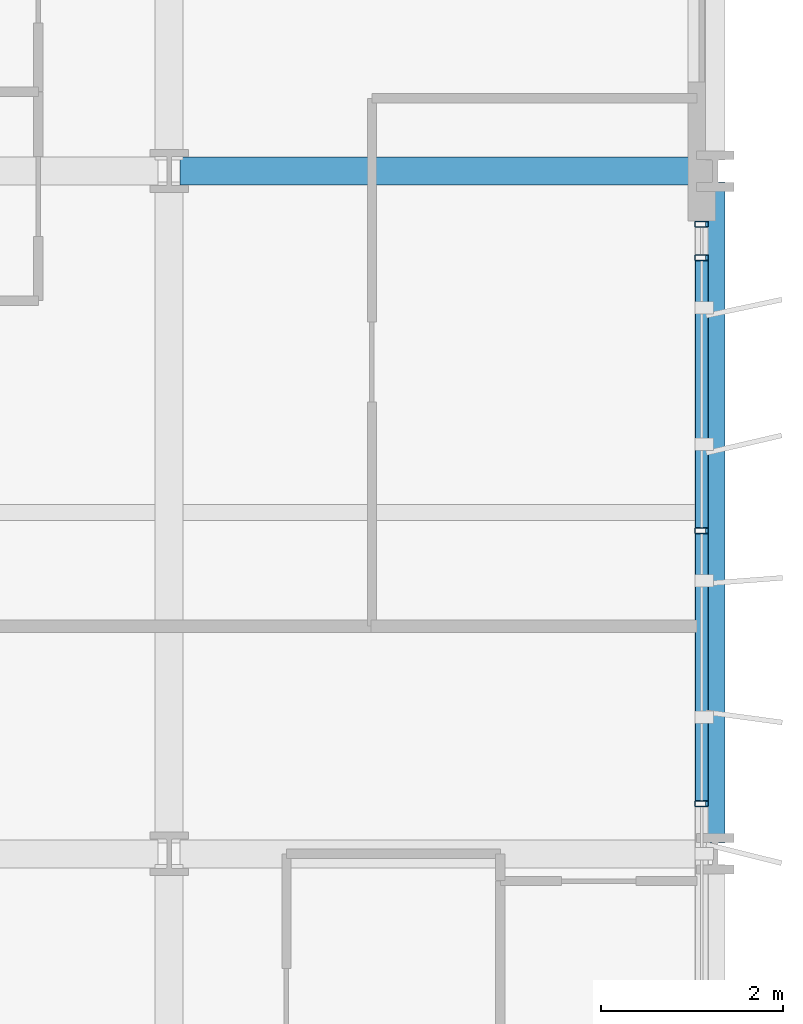
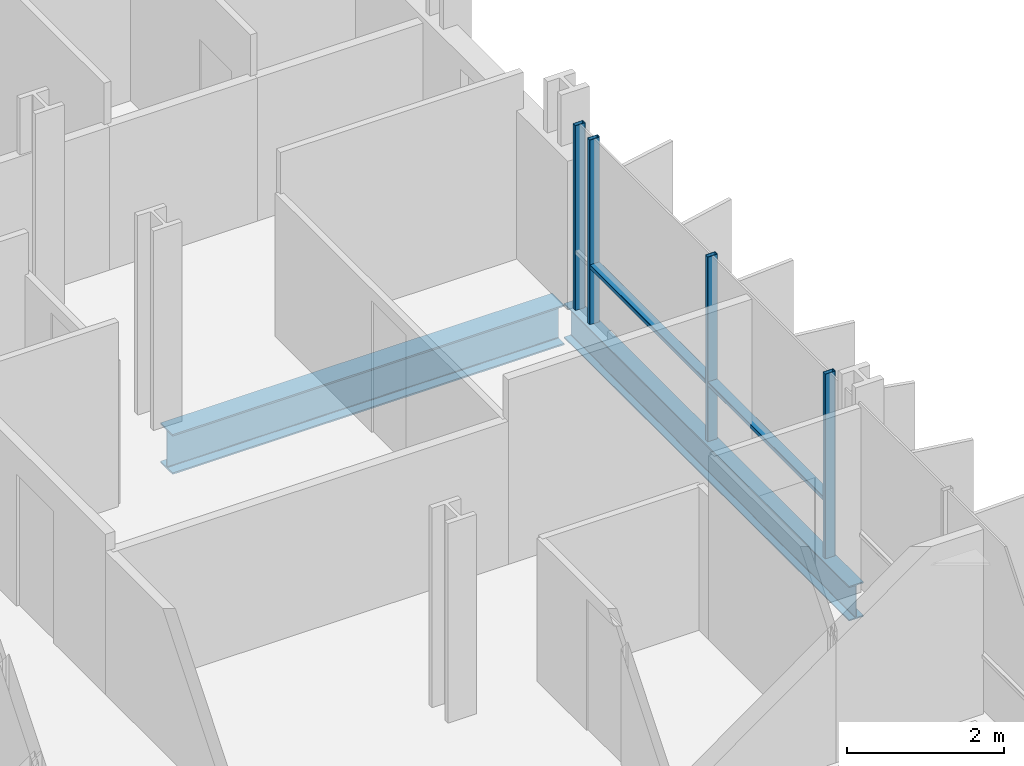
# One storey, part 19 of 38: 6 members, 2 beams, 1 element without a shape of its own.
"""IFC4 building model written with IfcOpenShell, lengths in metres."""

from ifc_helpers import new_model, si_unit, direction, frame, origin, origin_2d, place, context, subcontext, project, spatial, hollow_rectangle, i_section, extrude, material, layer, layer_set, material_profile, profile_set, type_object, element, aggregate, save


model = new_model("IFC4")

# Units and contexts
model_context = context("Model", 3, precision=1e-05, world=origin(), true_north=direction((0.0, 1.0)))
body_context = subcontext(model_context, "Body", "Model", "MODEL_VIEW")
ifc_project = project(units=[si_unit("LENGTHUNIT", "METRE"), si_unit("AREAUNIT", "SQUARE_METRE"), si_unit("VOLUMEUNIT", "CUBIC_METRE"), si_unit("PLANEANGLEUNIT", "RADIAN"), si_unit("MASSUNIT", "GRAM", prefix="KILO")], contexts=[model_context])

# Site, building, storey
site_placement = place(None, origin())
site = spatial("IfcSite", under=ifc_project, at=site_placement, CompositionType="ELEMENT")
building_placement = place(site_placement, origin())
building = spatial("IfcBuilding", under=site, at=building_placement, Name="Brevholm Reach", CompositionType="ELEMENT")
storey_placement = place(building_placement, frame((0.0, 0.0, 52.800048828125)))
storey = spatial("IfcBuildingStorey", under=building, at=storey_placement, Name="L14", CompositionType="ELEMENT", Elevation=52.800048828125)

# Beams
ifc_material_1 = material(Name="Structural Steel S355J2", Category="steel")
ifc_material_profile_1 = material_profile(ifc_material_1, i_section(OverallWidth=0.210693359375, OverallDepth=0.53955078125, WebThickness=0.01171875, FlangeThickness=0.018798828125, FilletRadius=0.0126953125, at=origin_2d()), Name="UKB 533x210x109")
ifc_profile_set_1 = profile_set([ifc_material_profile_1], Name="Structural Steel S355J2")
beam_type_1 = type_object("IfcBeamType", Name="BM-SP539", PredefinedType="SPANDREL", material=ifc_profile_set_1)
beam_1_placement = place(storey_placement, frame((60.0, 16.1201171875, -0.499755859375), z_axis=(0.0, 1.0, 0.0), x_axis=(-1.0, 0.0, 0.0)))
element("IfcBeam", 1, at=beam_1_placement, inside=storey, type_object=beam_type_1, Name="L14 SP-01B Framing Beam", PredefinedType="SPANDREL", context=body_context, shape_type="SweptSolid", body=[
    extrude(i_section(OverallWidth=0.210693359375, OverallDepth=0.53955078125, WebThickness=0.01171875, FlangeThickness=0.018798828125, FilletRadius=0.0126953125, at=origin_2d()), origin(), (0.0, 0.0, 1.0), 7.259765625),
])
ifc_material_2 = material(Name="Structural Steel S355J2", Category="steel")
ifc_material_profile_2 = material_profile(ifc_material_2, i_section(OverallWidth=0.30712890625, OverallDepth=0.6201171875, WebThickness=0.01416015625, FlangeThickness=0.023681640625, FilletRadius=0.0166015625, at=origin_2d()), Name="UKB 610x305x179")
ifc_profile_set_2 = profile_set([ifc_material_profile_2], Name="Structural Steel S355J2")
beam_type_2 = type_object("IfcBeamType", Name="BM-UKB610H", PredefinedType="USERDEFINED", material=ifc_profile_set_2)
beam_2_placement = place(storey_placement, frame((54.1201171875, 23.5, -0.5400390625), z_axis=(1.0, 0.0, 0.0), x_axis=(0.0, 1.0, 0.0)))
element("IfcBeam", 2, at=beam_2_placement, inside=storey, type_object=beam_type_2, Name="L14 G-06 Framing Beam", ObjectType="GIRDER", PredefinedType="USERDEFINED", context=body_context, shape_type="SweptSolid", body=[
    extrude(i_section(OverallWidth=0.30712890625, OverallDepth=0.6201171875, WebThickness=0.01416015625, FlangeThickness=0.023681640625, FilletRadius=0.0166015625, at=origin_2d()), origin(), (0.0, 0.0, 1.0), 5.759765625),
])

# Curtain wall, members
ifc_material_3 = material(Name="Dark Anodised Aluminium 6063-T6 and Solar-Control Glass", Category="aluminium")
ifc_layer = layer(ifc_material_3, 0.14990234375)
ifc_layer_set = layer_set([ifc_layer], Name="Dark Anodised Aluminium 6063-T6 and Solar-Control Glass")
curtain_wall_type = type_object("IfcCurtainWallType", Name="CW-01", PredefinedType="NOTDEFINED", material=ifc_layer_set)
curtain_wall_placement = place(storey_placement, origin())
curtain_wall = element("IfcCurtainWall", 3, at=curtain_wall_placement, inside=storey, type_object=curtain_wall_type, Name="L14 Curtain Wall CW-01", PredefinedType="NOTDEFINED")
ifc_material_4 = material(Name="Dark Anodised Aluminium 6063-T6", Category="aluminium")
ifc_material_profile_3 = material_profile(ifc_material_4, hollow_rectangle(XDim=0.06494140625, YDim=0.14990234375, WallThickness=0.0048828125, InnerFilletRadius=0.0048828125, OuterFilletRadius=0.010009765625, at=origin_2d()), Name="RHS 150x65x5")
ifc_profile_set_3 = profile_set([ifc_material_profile_3], Name="Dark Anodised Aluminium 6063-T6")
member_type_1 = type_object("IfcMemberType", Name="CWM-150", PredefinedType="MULLION", material=ifc_profile_set_3)
member_1_placement = place(storey_placement, frame((59.85009765625, 16.550048828125, 0.0), z_axis=(0.0, 0.0, 1.0), x_axis=(0.0, 1.0, 0.0)))
member_1 = element("IfcMember", 4, at=member_1_placement, type_object=member_type_1, Name="CM-150 Mullion 3", PredefinedType="MULLION", context=body_context, shape_type="SweptSolid", body=[
    extrude(hollow_rectangle(XDim=0.06494140625, YDim=0.14990234375, WallThickness=0.0048828125, InnerFilletRadius=0.0048828125, OuterFilletRadius=0.010009765625, at=origin_2d()), origin(), (0.0, 0.0, 1.0), 2.869873046875),
])
member_2_placement = place(storey_placement, frame((59.85009765625, 19.550048828125, 0.0), z_axis=(0.0, 0.0, 1.0), x_axis=(0.0, 1.0, 0.0)))
member_2 = element("IfcMember", 5, at=member_2_placement, type_object=member_type_1, Name="CM-150 Mullion 4", PredefinedType="MULLION", context=body_context, shape_type="SweptSolid", body=[
    extrude(hollow_rectangle(XDim=0.06494140625, YDim=0.14990234375, WallThickness=0.0048828125, InnerFilletRadius=0.0048828125, OuterFilletRadius=0.010009765625, at=origin_2d()), origin(), (0.0, 0.0, 1.0), 2.869873046875),
])
member_3_placement = place(storey_placement, frame((59.85009765625, 22.550048828125, 0.0), z_axis=(0.0, 0.0, 1.0), x_axis=(0.0, 1.0, 0.0)))
member_3 = element("IfcMember", 6, at=member_3_placement, type_object=member_type_1, Name="CM-150 Mullion 5", PredefinedType="MULLION", context=body_context, shape_type="SweptSolid", body=[
    extrude(hollow_rectangle(XDim=0.06494140625, YDim=0.14990234375, WallThickness=0.0048828125, InnerFilletRadius=0.0048828125, OuterFilletRadius=0.010009765625, at=origin_2d()), origin(), (0.0, 0.0, 1.0), 2.869873046875),
])
member_4_placement = place(storey_placement, frame((59.85009765625, 22.91748046875, 0.0), z_axis=(0.0, 0.0, 1.0), x_axis=(0.0, 1.0, 0.0)))
member_4 = element("IfcMember", 7, at=member_4_placement, type_object=member_type_1, Name="CM-150 Mullion 6", PredefinedType="MULLION", context=body_context, shape_type="SweptSolid", body=[
    extrude(hollow_rectangle(XDim=0.06494140625, YDim=0.14990234375, WallThickness=0.0048828125, InnerFilletRadius=0.0048828125, OuterFilletRadius=0.010009765625, at=origin_2d()), origin(), (0.0, 0.0, 1.0), 2.869873046875),
])
ifc_material_5 = material(Name="Dark Anodised Aluminium 6063-T6", Category="aluminium")
ifc_material_profile_4 = material_profile(ifc_material_5, hollow_rectangle(XDim=0.06494140625, YDim=0.14990234375, WallThickness=0.0048828125, InnerFilletRadius=0.0048828125, OuterFilletRadius=0.010009765625, at=origin_2d()), Name="RHS 150x65x5")
ifc_profile_set_4 = profile_set([ifc_material_profile_4], Name="Dark Anodised Aluminium 6063-T6")
member_type_2 = type_object("IfcMemberType", Name="CWT-150", PredefinedType="NOTDEFINED", material=ifc_profile_set_4)
member_5_placement = place(storey_placement, frame((59.85009765625, 16.58251953125, 0.89990234375), z_axis=(0.0, 1.0, 0.0), x_axis=(0.0, 0.0, 1.0)))
member_5 = element("IfcMember", 8, at=member_5_placement, type_object=member_type_2, Name="CT-150 Transom 3.1", ObjectType="TRANSOM", PredefinedType="USERDEFINED", context=body_context, shape_type="SweptSolid", body=[
    extrude(hollow_rectangle(XDim=0.06494140625, YDim=0.14990234375, WallThickness=0.0048828125, InnerFilletRadius=0.0048828125, OuterFilletRadius=0.010009765625, at=origin_2d()), origin(), (0.0, 0.0, 1.0), 2.93505859375),
])
member_6_placement = place(storey_placement, frame((59.85009765625, 19.58251953125, 0.89990234375), z_axis=(0.0, 1.0, 0.0), x_axis=(0.0, 0.0, 1.0)))
member_6 = element("IfcMember", 9, at=member_6_placement, type_object=member_type_2, Name="CT-150 Transom 4.1", ObjectType="TRANSOM", PredefinedType="USERDEFINED", context=body_context, shape_type="SweptSolid", body=[
    extrude(hollow_rectangle(XDim=0.06494140625, YDim=0.14990234375, WallThickness=0.0048828125, InnerFilletRadius=0.0048828125, OuterFilletRadius=0.010009765625, at=origin_2d()), origin(), (0.0, 0.0, 1.0), 2.93505859375),
])
aggregate(curtain_wall, [member_1, member_2, member_3, member_4, member_5, member_6])

save(model, "model.ifc")
